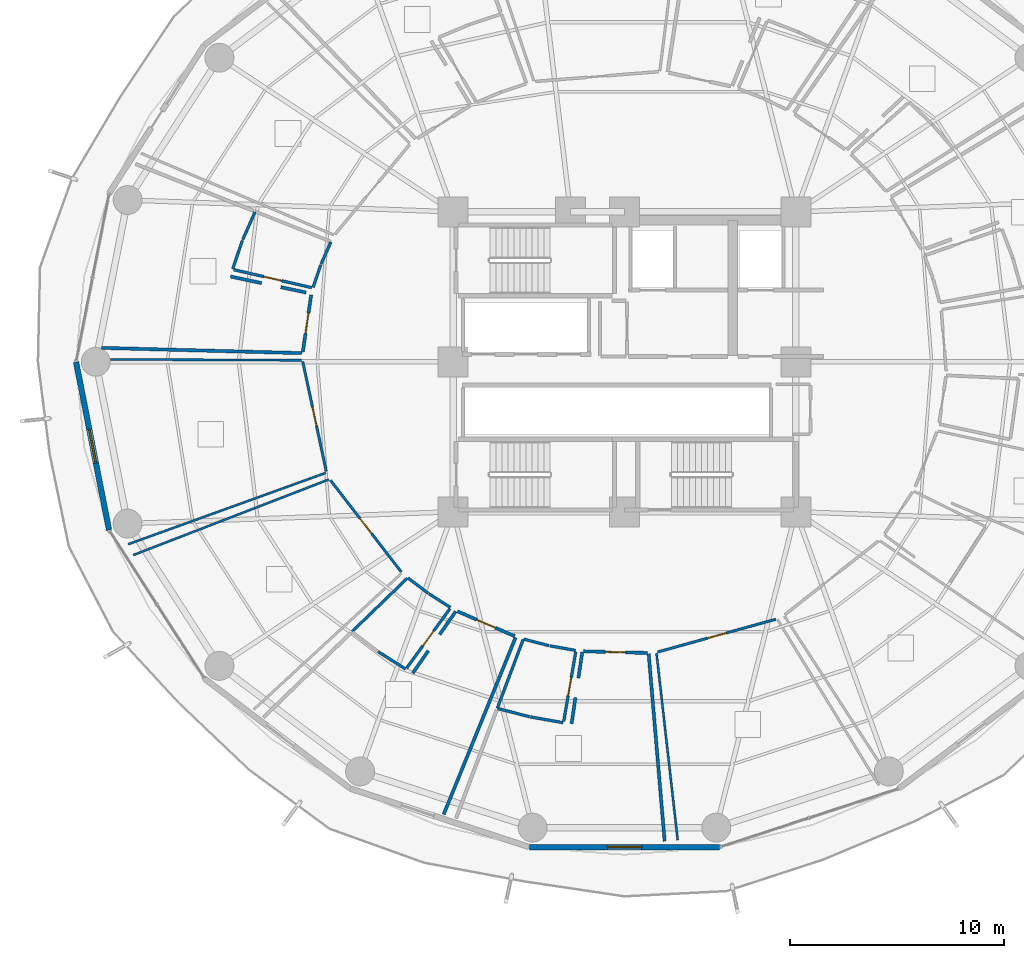
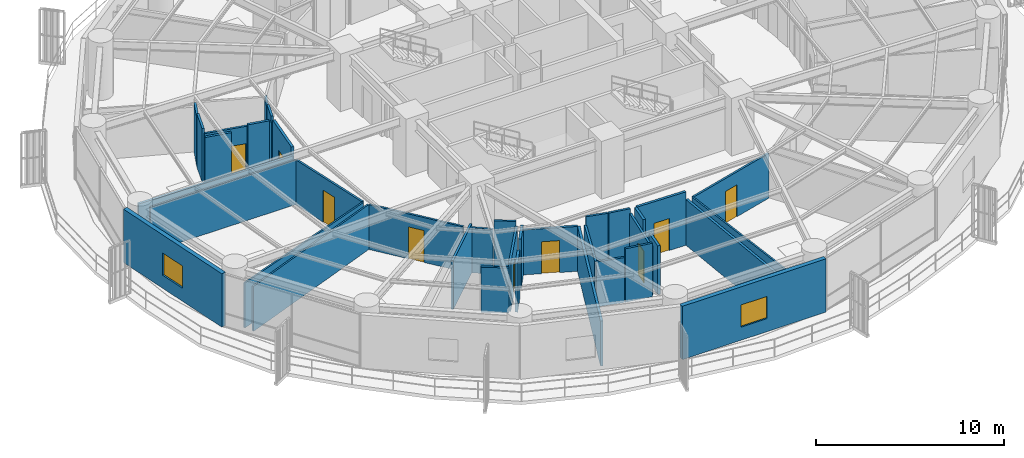
# One storey, part 25 of 33: 37 walls, 9 doors, 2 windows, 11 openings.
"""IFC4 building model written with IfcOpenShell, lengths in metres."""

import ifcopenshell
import ifcopenshell.guid

model = None  # the IFC model being written
_history = None  # IfcOwnerHistory: only IFC2X3 demands one
_inside = {}  # id of a spatial element -> (the spatial element, [elements in it])
_under = {}  # id of a project, library or spatial element -> (it, [spatial elements below it])
_declared = {}  # id of a project -> (the project, [libraries it declares])
_typed = {}  # id of a type object -> (the type object, [elements of that type])
_made_of = {}  # id of a material, layer set ... -> (it, [elements and type objects made of it])


def new_model(schema):
    """Start an empty IFC model of exactly this schema.

    Asked for "IFC4X3", IfcOpenShell would pick the latest addendum, in which some entities
    have other attributes; the version numbers below select the first issue.
    IFC2X3 requires an IfcOwnerHistory on every rooted entity: one is made here for all.
    """
    global model, _history
    if schema == "IFC4X3":
        model = ifcopenshell.file(schema_version=(4, 3, 0, 0))
    else:
        model = ifcopenshell.file(schema=schema)
    _inside.clear()
    _under.clear()
    _declared.clear()
    _typed.clear()
    _made_of.clear()
    _history = None
    if model.schema == "IFC2X3":
        org = make("IfcOrganization", Name="unknown")
        user = make(
            "IfcPersonAndOrganization",
            ThePerson=make("IfcPerson", FamilyName="unknown"),
            TheOrganization=org,
        )
        app = make(
            "IfcApplication",
            ApplicationDeveloper=org,
            Version="unknown",
            ApplicationFullName="unknown",
            ApplicationIdentifier="unknown",
        )
        _history = make(
            "IfcOwnerHistory",
            OwningUser=user,
            OwningApplication=app,
            ChangeAction="ADDED",
            CreationDate=0,
        )
    return model


def make(cls, **values):
    """One entity of the class cls with the attributes given. An attribute that is None is left unset."""
    return model.create_entity(
        cls, **{name: value for name, value in values.items() if value is not None}
    )


def rooted(cls, **values):
    """An entity with a GlobalId (a new one), such as an element, a storey or a relation."""
    return make(cls, GlobalId=ifcopenshell.guid.new(), OwnerHistory=_history, **values)


def si_unit(unit_type, name, prefix=None):
    """IfcSIUnit, for example si_unit("LENGTHUNIT", "METRE", prefix="MILLI")."""
    return make("IfcSIUnit", UnitType=unit_type, Prefix=prefix, Name=name)


def assignment(units):
    """IfcUnitAssignment: the units of a project."""
    return None if units is None else make("IfcUnitAssignment", Units=units)


def point(xyz):
    """IfcCartesianPoint."""
    return None if xyz is None else make("IfcCartesianPoint", Coordinates=xyz)


def direction(xyz):
    """IfcDirection."""
    return None if xyz is None else make("IfcDirection", DirectionRatios=xyz)


def frame(location, z_axis=None, x_axis=None):
    """IfcAxis2Placement3D, a coordinate frame: its origin and axes. An axis left out is left unset."""
    return make(
        "IfcAxis2Placement3D",
        Location=point(location),
        Axis=direction(z_axis),
        RefDirection=direction(x_axis),
    )


def frame_2d(location, x_axis=None):
    """IfcAxis2Placement2D, a coordinate frame in the plane: its origin and x axis."""
    return make(
        "IfcAxis2Placement2D", Location=point(location), RefDirection=direction(x_axis)
    )


def origin():
    """The frame at (0, 0, 0) with its axes left unset."""
    return frame((0.0, 0.0, 0.0))


def place(relative_to, where):
    """IfcLocalPlacement: puts the frame where relative to a parent placement (None: the world)."""
    return make(
        "IfcLocalPlacement", PlacementRelTo=relative_to, RelativePlacement=where
    )


def context(
    kind, dimensions, precision=None, world=None, true_north=None, identifier=None
):
    """IfcGeometricRepresentationContext, for example the 3D "Model" context."""
    return make(
        "IfcGeometricRepresentationContext",
        ContextIdentifier=identifier,
        ContextType=kind,
        CoordinateSpaceDimension=dimensions,
        Precision=precision,
        WorldCoordinateSystem=world,
        TrueNorth=true_north,
    )


def subcontext(parent, identifier, kind, view, scale=None):
    """IfcGeometricRepresentationSubContext, for example "Body" below "Model"."""
    return make(
        "IfcGeometricRepresentationSubContext",
        ContextIdentifier=identifier,
        ContextType=kind,
        ParentContext=parent,
        TargetScale=scale,
        TargetView=view,
    )


def project(units=None, contexts=None):
    """IfcProject with its units and contexts."""
    return rooted(
        "IfcProject",
        Name="project",
        RepresentationContexts=contexts,
        UnitsInContext=assignment(units),
    )


def spatial(cls, under=None, at=None, **own):
    """A site, building, storey or space (cls), placed at a placement, below another one or the project."""
    s = rooted(cls, ObjectPlacement=at, **own)
    if under is not None:
        _under.setdefault(under.id(), (under, []))[1].append(s)
    return s


def profile(cls, at=None, kind="AREA", **sizes):
    """A parametric profile (cls). Its sizes go by their IFC names, for example OverallWidth=200.0."""
    return make(cls, ProfileType=kind, Position=at, **sizes)


def rectangle(**sizes):
    """IfcRectangleProfileDef."""
    return profile("IfcRectangleProfileDef", **sizes)


def extrude(swept, where, along, depth):
    """IfcExtrudedAreaSolid: the profile swept, set in the frame where, extruded along a direction by depth."""
    return make(
        "IfcExtrudedAreaSolid",
        SweptArea=swept,
        Position=where,
        ExtrudedDirection=direction(along),
        Depth=depth,
    )


def shape(context_of_items, identifier, shape_type, items):
    """IfcShapeRepresentation: the items that make up one representation, for example the "Body"."""
    return make(
        "IfcShapeRepresentation",
        ContextOfItems=context_of_items,
        RepresentationIdentifier=identifier,
        RepresentationType=shape_type,
        Items=items,
    )


def material(Name=None, Category=None):
    """IfcMaterial."""
    return make("IfcMaterial", Name=Name, Category=Category)


def layer(
    of_material, thickness, ventilated=None, Name=None, Category=None, Priority=None
):
    """IfcMaterialLayer: one layer of a wall or slab, of a material (None: an air gap)."""
    return make(
        "IfcMaterialLayer",
        Material=of_material,
        LayerThickness=thickness,
        IsVentilated=ventilated,
        Name=Name,
        Category=Category,
        Priority=Priority,
    )


def layer_set(layers, Name=None):
    """IfcMaterialLayerSet."""
    return make("IfcMaterialLayerSet", MaterialLayers=layers, LayerSetName=Name)


def made_of(thing, what):
    """Note that an element or type object is made of a material, layer set ...; save() writes the relation."""
    if what is not None:
        _made_of.setdefault(what.id(), (what, []))[1].append(thing)
    return thing


def type_object(cls, material=None, **own):
    """A type object (cls), such as IfcWallType, which elements share."""
    return made_of(rooted(cls, **own), material)


def element(
    cls,
    number,
    at=None,
    inside=None,
    cuts=None,
    type_object=None,
    material=None,
    context=None,
    identifier="Body",
    shape_type=None,
    held_by="IfcProductDefinitionShape",
    body=None,
    shapes=None,
    **own,
):
    """One element of the class cls, such as IfcWall. Its Tag is "e" and its number.

    at: its placement. inside: the storey or other place that contains it. cuts: it is an
    opening in that element (IfcRelVoidsElement). A single representation is given by context,
    identifier, shape_type and body (its items); several are given by shapes. held_by: the class
    of the entity that holds the representations. save() writes the other relations.
    """
    e = rooted(cls, Tag="e%d" % number, ObjectPlacement=at, **own)
    if body is not None:
        shapes = [shape(context, identifier, shape_type, body)]
    if shapes is not None:
        e.Representation = make(held_by, Representations=shapes)
    if inside is not None:
        _inside.setdefault(inside.id(), (inside, []))[1].append(e)
    if cuts is not None:
        rooted(
            "IfcRelVoidsElement", RelatingBuildingElement=cuts, RelatedOpeningElement=e
        )
    if type_object is not None:
        _typed.setdefault(type_object.id(), (type_object, []))[1].append(e)
    return made_of(e, material)


def fill(opening, filler):
    """IfcRelFillsElement: the door or window that sits in an opening."""
    return rooted(
        "IfcRelFillsElement",
        RelatingOpeningElement=opening,
        RelatedBuildingElement=filler,
    )


def aggregate(whole, parts):
    """IfcRelAggregates: a whole, such as a stair, and the parts it consists of."""
    return rooted("IfcRelAggregates", RelatingObject=whole, RelatedObjects=parts)


def save(model, path):
    """Write the relations noted so far, then the file.

    IfcRelAggregates (storeys below a building ...), IfcRelContainedInSpatialStructure (elements
    in a storey), IfcRelDefinesByType, IfcRelAssociatesMaterial and IfcRelDeclares: one each for
    every whole, place, type object, material and project.
    """
    for whole, parts in _under.values():
        aggregate(whole, parts)
    for where, things in _inside.values():
        rooted(
            "IfcRelContainedInSpatialStructure",
            RelatedElements=things,
            RelatingStructure=where,
        )
    for kind, things in _typed.values():
        rooted("IfcRelDefinesByType", RelatedObjects=things, RelatingType=kind)
    for what, things in _made_of.values():
        rooted("IfcRelAssociatesMaterial", RelatedObjects=things, RelatingMaterial=what)
    for by, libraries in _declared.values():
        rooted("IfcRelDeclares", RelatingContext=by, RelatedDefinitions=libraries)
    model.write(path)


model = new_model("IFC4")

# Units and contexts
model_context = context("Model", 3, precision=1e-05, world=origin(), true_north=direction((0.0, 1.0)))
body_context = subcontext(model_context, "Body", "Model", "MODEL_VIEW")
ifc_project = project(units=[si_unit("LENGTHUNIT", "METRE"), si_unit("AREAUNIT", "SQUARE_METRE"), si_unit("VOLUMEUNIT", "CUBIC_METRE"), si_unit("PLANEANGLEUNIT", "RADIAN"), si_unit("MASSUNIT", "GRAM", prefix="KILO")], contexts=[model_context])

# Site, building, storey
site_placement = place(None, origin())
site = spatial("IfcSite", under=ifc_project, at=site_placement, CompositionType="ELEMENT")
building_placement = place(site_placement, origin())
building = spatial("IfcBuilding", under=site, at=building_placement, Name="Kelanora Arch Commons", CompositionType="ELEMENT")
storey_placement = place(building_placement, frame((0.0, 0.0, 83.85009765625)))
storey = spatial("IfcBuildingStorey", under=building, at=storey_placement, Name="L21", CompositionType="ELEMENT", Elevation=83.85009765625)

# Wall, opening, door
ifc_material_1 = material(Name="Autoclaved aerated concrete blockwork with fire plaster", Category="masonry")
ifc_layer_1 = layer(ifc_material_1, 0.14990234375)
ifc_layer_set_1 = layer_set([ifc_layer_1], Name="Autoclaved aerated concrete blockwork with fire plaster")
wall_type_1 = type_object("IfcWallType", Name="W-COMP-150", PredefinedType="PARTITIONING", material=ifc_layer_set_1)
wall_1_placement = place(storey_placement, frame((59.377197265625, 61.12353515625, 0.0), z_axis=(0.0, 0.0, 1.0), x_axis=(-0.145640373191, -0.989337597434, 0.0)))
wall_1 = element("IfcWall", 1, at=wall_1_placement, inside=storey, type_object=wall_type_1, Name="Co-Living Studio L21-07 Entry Partition", PredefinedType="PARTITIONING", context=body_context, shape_type="SweptSolid", body=[
    extrude(rectangle(XDim=2.688720703125, YDim=0.14990234375, at=frame_2d((1.34423828125, 0.0))), origin(), (0.0, 0.0, 1.0), 3.47998046875),
])
opening_1_placement = place(wall_1_placement, frame((0.868896484375, 0.0, 0.0)))
opening_1 = element("IfcOpeningElement", 2, at=opening_1_placement, cuts=wall_1, Name="Opening D-CLU1", PredefinedType="OPENING", context=body_context, shape_type="SweptSolid", body=[
    extrude(rectangle(XDim=0.949951171875, YDim=2.080078125, at=frame_2d((0.47509765625, 1.0400390625))), frame((0.0, 0.0849609375, 0.0), z_axis=(0.0, -1.0, 0.0), x_axis=(1.0, 0.0, 0.0)), (0.0, 0.0, 1.0), 0.169921875),
])
ifc_material_2 = material(Name="Solid-core acoustic timber cluster entry fire door", Category="wood")
door_type_1 = type_object("IfcDoorType", Name="D-CLU-95", OperationType="NOTDEFINED", PredefinedType="DOOR", material=ifc_material_2)
door_1_placement = place(opening_1_placement, origin())
door_1 = element("IfcDoor", 3, at=door_1_placement, inside=storey, type_object=door_type_1, Name="Co-Living Studio L21-07 Door", OperationType="SINGLE_SWING_RIGHT", OverallHeight=2.080078125, OverallWidth=0.949951171875, PredefinedType="DOOR", context=body_context, shape_type="SweptSolid", body=[
    extrude(rectangle(XDim=0.949951171875, YDim=2.080078125, at=frame_2d((0.47509765625, 1.0400390625))), frame((0.0, 0.02490234375, 0.0), z_axis=(0.0, -1.0, 0.0), x_axis=(1.0, 0.0, 0.0)), (0.0, 0.0, 1.0), 0.050048828125),
])
fill(opening_1, door_1)

wall_2_placement = place(storey_placement, frame((66.200927734375, 46.35498046875, 0.0), z_axis=(0.0, 0.0, 1.0), x_axis=(0.917173751057, -0.398487528503, 0.0)))
wall_2 = element("IfcWall", 4, at=wall_2_placement, inside=storey, type_object=wall_type_1, Name="Co-Living Studio L21-10 Entry Partition", PredefinedType="PARTITIONING", context=body_context, shape_type="SweptSolid", body=[
    extrude(rectangle(XDim=2.918701171875, YDim=0.14990234375, at=frame_2d((1.45947265625, 0.0))), origin(), (0.0, 0.0, 1.0), 2.9248046875),
])
opening_2_placement = place(wall_2_placement, frame((0.98388671875, 0.0, 0.0)))
opening_2 = element("IfcOpeningElement", 5, at=opening_2_placement, cuts=wall_2, Name="Opening D-CLU1", PredefinedType="OPENING", context=body_context, shape_type="SweptSolid", body=[
    extrude(rectangle(XDim=0.949951171875, YDim=2.080078125, at=frame_2d((0.47509765625, 1.0400390625))), frame((0.0, 0.0849609375, 0.0), z_axis=(0.0, -1.0, 0.0), x_axis=(1.0, 0.0, 0.0)), (0.0, 0.0, 1.0), 0.169921875),
])
door_2_placement = place(opening_2_placement, origin())
door_2 = element("IfcDoor", 6, at=door_2_placement, inside=storey, type_object=door_type_1, Name="Co-Living Studio L21-10 Door", OperationType="SINGLE_SWING_RIGHT", OverallHeight=2.080078125, OverallWidth=0.949951171875, PredefinedType="DOOR", context=body_context, shape_type="SweptSolid", body=[
    extrude(rectangle(XDim=0.949951171875, YDim=2.080078125, at=frame_2d((0.47509765625, 1.0400390625))), frame((0.0, 0.02490234375, 0.0), z_axis=(0.0, -1.0, 0.0), x_axis=(1.0, 0.0, 0.0)), (0.0, 0.0, 1.0), 0.050048828125),
])
fill(opening_2, door_2)

wall_3_placement = place(storey_placement, frame((72.096923828125, 44.485595703125, 0.0), z_axis=(0.0, 0.0, 1.0), x_axis=(0.999671268913, -0.025638917871, 0.0)))
wall_3 = element("IfcWall", 7, at=wall_3_placement, inside=storey, type_object=wall_type_1, Name="Co-Living Studio L21-11 Entry Partition", PredefinedType="PARTITIONING", context=body_context, shape_type="SweptSolid", body=[
    extrude(rectangle(XDim=2.970947265625, YDim=0.14990234375, at=frame_2d((1.4853515625, 0.0))), origin(), (0.0, 0.0, 1.0), 3.47998046875),
])
opening_3_placement = place(wall_3_placement, frame((1.010009765625, 0.0, 0.0)))
opening_3 = element("IfcOpeningElement", 8, at=opening_3_placement, cuts=wall_3, Name="Opening D-CLU1", PredefinedType="OPENING", context=body_context, shape_type="SweptSolid", body=[
    extrude(rectangle(XDim=0.949951171875, YDim=2.080078125, at=frame_2d((0.47509765625, 1.0400390625))), frame((0.0, 0.0849609375, 0.0), z_axis=(0.0, -1.0, 0.0), x_axis=(1.0, 0.0, 0.0)), (0.0, 0.0, 1.0), 0.169921875),
])
door_3_placement = place(opening_3_placement, origin())
door_3 = element("IfcDoor", 9, at=door_3_placement, inside=storey, type_object=door_type_1, Name="Co-Living Studio L21-11 Door", OperationType="SINGLE_SWING_RIGHT", OverallHeight=2.080078125, OverallWidth=0.949951171875, PredefinedType="DOOR", context=body_context, shape_type="SweptSolid", body=[
    extrude(rectangle(XDim=0.949951171875, YDim=2.080078125, at=frame_2d((0.47509765625, 1.0400390625))), frame((0.0, 0.02490234375, 0.0), z_axis=(0.0, -1.0, 0.0), x_axis=(1.0, 0.0, 0.0)), (0.0, 0.0, 1.0), 0.050048828125),
])
fill(opening_3, door_3)

# Walls
wall_4_placement = place(storey_placement, frame((58.93701171875, 58.405029296875, 0.0), z_axis=(0.0, 0.0, 1.0), x_axis=(-0.99965775334, 0.026160584617, 0.0)))
element("IfcWall", 10, at=wall_4_placement, inside=storey, type_object=wall_type_1, Name="Co-Living Studio L21-07 Enclosure Partition 2", PredefinedType="PARTITIONING", context=body_context, shape_type="SweptSolid", body=[
    extrude(rectangle(XDim=9.3603515625, YDim=0.14990234375, at=frame_2d((4.68017578125, 0.0))), origin(), (0.0, 0.0, 1.0), 2.974853515625),
])
wall_5_placement = place(storey_placement, frame((55.613037109375, 61.980712890625, 0.0), z_axis=(0.0, 0.0, 1.0), x_axis=(0.978379851426, -0.206816020472, 0.0)))
element("IfcWall", 11, at=wall_5_placement, inside=storey, type_object=wall_type_1, Name="Co-Living Studio L21-07 Enclosure Partition 7", PredefinedType="PARTITIONING", context=body_context, shape_type="SweptSolid", body=[
    extrude(rectangle(XDim=1.4814453125, YDim=0.14990234375, at=frame_2d((0.74072265625, 0.0))), origin(), (0.0, 0.0, 1.0), 3.1748046875),
])
wall_6_placement = place(storey_placement, frame((57.962890625, 61.48388671875, 0.0), z_axis=(0.0, 0.0, 1.0), x_axis=(0.978361584069, -0.20690241859, 0.0)))
element("IfcWall", 12, at=wall_6_placement, inside=storey, type_object=wall_type_1, Name="Co-Living Studio L21-07 Enclosure Partition 7", PredefinedType="PARTITIONING", context=body_context, shape_type="SweptSolid", body=[
    extrude(rectangle(XDim=1.199951171875, YDim=0.14990234375, at=frame_2d((0.60009765625, 0.0))), origin(), (0.0, 0.0, 1.0), 3.47998046875),
])
wall_7_placement = place(storey_placement, frame((68.91796875, 45.130859375, 0.0), z_axis=(0.0, 0.0, 1.0), x_axis=(-0.376588613193, -0.926380600193, 0.0)))
element("IfcWall", 13, at=wall_7_placement, inside=storey, type_object=wall_type_1, Name="Co-Living Studio L21-10 Enclosure Partition 2", PredefinedType="PARTITIONING", context=body_context, shape_type="SweptSolid", body=[
    extrude(rectangle(XDim=8.9140625, YDim=0.14990234375, at=frame_2d((4.45703125, 0.0))), origin(), (0.0, 0.0, 1.0), 2.9248046875),
])
wall_8_placement = place(storey_placement, frame((64.119873046875, 43.46875, 0.0), z_axis=(0.0, 0.0, 1.0), x_axis=(0.571339432424, 0.820713867897, 0.0)))
element("IfcWall", 14, at=wall_8_placement, inside=storey, type_object=wall_type_1, Name="Co-Living Studio L21-10 Enclosure Partition 7", PredefinedType="PARTITIONING", context=body_context, shape_type="SweptSolid", body=[
    extrude(rectangle(XDim=1.274658203125, YDim=0.14990234375, at=frame_2d((0.63720703125, 0.0))), origin(), (0.0, 0.0, 1.0), 3.1748046875),
])
wall_9_placement = place(storey_placement, frame((65.3740234375, 45.270263671875, 0.0), z_axis=(0.0, 0.0, 1.0), x_axis=(0.57134818524, 0.82070777456, 0.0)))
element("IfcWall", 15, at=wall_9_placement, inside=storey, type_object=wall_type_1, Name="Co-Living Studio L21-10 Enclosure Partition 7", PredefinedType="PARTITIONING", context=body_context, shape_type="SweptSolid", body=[
    extrude(rectangle(XDim=1.31103515625, YDim=0.14990234375, at=frame_2d((0.655517578125, 0.0))), origin(), (0.0, 0.0, 1.0), 3.23486328125),
])
wall_10_placement = place(storey_placement, frame((75.13037109375, 44.3681640625, 0.0), z_axis=(0.0, 0.0, 1.0), x_axis=(0.085031915446, -0.996378228062, 0.0)))
element("IfcWall", 16, at=wall_10_placement, inside=storey, type_object=wall_type_1, Name="Co-Living Studio L21-11 Enclosure Partition 2", PredefinedType="PARTITIONING", context=body_context, shape_type="SweptSolid", body=[
    extrude(rectangle(XDim=8.777099609375, YDim=0.14990234375, at=frame_2d((4.388671875, 0.0))), origin(), (0.0, 0.0, 1.0), 2.974853515625),
])
wall_11_placement = place(storey_placement, frame((71.531005859375, 41.103515625, 0.0), z_axis=(0.0, 0.0, 1.0), x_axis=(0.147866770411, 0.989007289259, 0.0)))
element("IfcWall", 17, at=wall_11_placement, inside=storey, type_object=wall_type_1, Name="Co-Living Studio L21-11 Enclosure Partition 7", PredefinedType="PARTITIONING", context=body_context, shape_type="SweptSolid", body=[
    extrude(rectangle(XDim=1.235107421875, YDim=0.14990234375, at=frame_2d((0.61767578125, 0.0))), origin(), (0.0, 0.0, 1.0), 3.1748046875),
])
wall_12_placement = place(storey_placement, frame((71.849609375, 43.235107421875, 0.0), z_axis=(0.0, 0.0, 1.0), x_axis=(0.14797037904, 0.988991793154, 0.0)))
element("IfcWall", 18, at=wall_12_placement, inside=storey, type_object=wall_type_1, Name="Co-Living Studio L21-11 Enclosure Partition 7", PredefinedType="PARTITIONING", context=body_context, shape_type="SweptSolid", body=[
    extrude(rectangle(XDim=1.225830078125, YDim=0.14990234375, at=frame_2d((0.61279296875, 0.0))), origin(), (0.0, 0.0, 1.0), 3.47998046875),
])

# Wall, opening, window
ifc_material_3 = material(Name="Precast concrete C40/50 with terracotta rainscreen", Category="masonry")
ifc_layer_2 = layer(ifc_material_3, 0.260009765625)
ifc_layer_set_2 = layer_set([ifc_layer_2], Name="Precast concrete C40/50 with terracotta rainscreen")
wall_type_2 = type_object("IfcWallType", Name="W-EXT-TC", PredefinedType="SOLIDWALL", material=ifc_layer_set_2)
wall_13_placement = place(storey_placement, frame((48.40283203125, 57.9853515625, 0.0), z_axis=(0.0, 0.0, 1.0), x_axis=(0.192581843632, -0.981280914674, 0.0)))
wall_13 = element("IfcWall", 19, at=wall_13_placement, inside=storey, type_object=wall_type_2, Name="Terracotta Exterior Wall L21-B09", PredefinedType="SOLIDWALL", context=body_context, shape_type="SweptSolid", body=[
    extrude(rectangle(XDim=7.986572265625, YDim=0.260009765625, at=frame_2d((3.9931640625, 0.0))), origin(), (0.0, 0.0, 1.0), 3.474853515625),
])
opening_4_placement = place(wall_13_placement, frame((3.193115234375, 0.0, 0.85009765625)))
opening_4 = element("IfcOpeningElement", 20, at=opening_4_placement, cuts=wall_13, Name="Opening WN-01", PredefinedType="OPENING", context=body_context, shape_type="SweptSolid", body=[
    extrude(rectangle(XDim=1.60009765625, YDim=1.449951171875, at=frame_2d((0.800048828125, 0.72509765625))), frame((0.0, 0.14013671875, 0.0), z_axis=(0.0, -1.0, 0.0), x_axis=(1.0, 0.0, 0.0)), (0.0, 0.0, 1.0), 0.280029296875),
])
ifc_material_4 = material(Name="Terracotta-anodised aluminium frame with operable low-E glazing", Category="masonry")
window_type = type_object("IfcWindowType", Name="WIN-CL-18", PartitioningType="DOUBLE_PANEL_VERTICAL", PredefinedType="WINDOW", material=ifc_material_4)
window_1_placement = place(opening_4_placement, origin())
window_1 = element("IfcWindow", 21, at=window_1_placement, inside=storey, type_object=window_type, Name="Co-Living Operable Window L21-B09", OverallHeight=1.449951171875, OverallWidth=1.60009765625, PartitioningType="SINGLE_PANEL", PredefinedType="WINDOW", context=body_context, shape_type="SweptSolid", body=[
    extrude(rectangle(XDim=1.60009765625, YDim=1.449951171875, at=frame_2d((0.800048828125, 0.72509765625))), frame((0.0, 0.030029296875, 0.0), z_axis=(0.0, -1.0, 0.0), x_axis=(1.0, 0.0, 0.0)), (0.0, 0.0, 1.0), 0.06005859375),
])
fill(opening_4, window_1)

wall_14_placement = place(storey_placement, frame((69.569580078125, 35.349365234375, 0.0), z_axis=(0.0, 0.0, 1.0), x_axis=(1.0, 0.0, 0.0)))
wall_14 = element("IfcWall", 22, at=wall_14_placement, inside=storey, type_object=wall_type_2, Name="Terracotta Exterior Wall L21-B13", PredefinedType="SOLIDWALL", context=body_context, shape_type="SweptSolid", body=[
    extrude(rectangle(XDim=8.86083984375, YDim=0.260009765625, at=frame_2d((4.430419921875, 0.0))), origin(), (0.0, 0.0, 1.0), 3.474853515625),
])
opening_5_placement = place(wall_14_placement, frame((3.6298828125, 0.0, 0.85009765625)))
opening_5 = element("IfcOpeningElement", 23, at=opening_5_placement, cuts=wall_14, Name="Opening WN-01", PredefinedType="OPENING", context=body_context, shape_type="SweptSolid", body=[
    extrude(rectangle(XDim=1.60009765625, YDim=1.449951171875, at=frame_2d((0.800048828125, 0.72509765625))), frame((0.0, 0.14013671875, 0.0), z_axis=(0.0, -1.0, 0.0), x_axis=(1.0, 0.0, 0.0)), (0.0, 0.0, 1.0), 0.280029296875),
])
window_2_placement = place(opening_5_placement, origin())
window_2 = element("IfcWindow", 24, at=window_2_placement, inside=storey, type_object=window_type, Name="Co-Living Operable Window L21-B13", OverallHeight=1.449951171875, OverallWidth=1.60009765625, PartitioningType="SINGLE_PANEL", PredefinedType="WINDOW", context=body_context, shape_type="SweptSolid", body=[
    extrude(rectangle(XDim=1.60009765625, YDim=1.449951171875, at=frame_2d((0.800048828125, 0.72509765625))), frame((0.0, 0.030029296875, 0.0), z_axis=(0.0, -1.0, 0.0), x_axis=(1.0, 0.0, 0.0)), (0.0, 0.0, 1.0), 0.06005859375),
])
fill(opening_5, window_2)

# Walls
ifc_material_5 = material(Name="Lightweight fire-rated acoustic stud partition")
ifc_layer_3 = layer(ifc_material_5, 0.10009765625)
ifc_layer_set_3 = layer_set([ifc_layer_3], Name="Lightweight fire-rated acoustic stud partition")
wall_type_3 = type_object("IfcWallType", Name="W-PART-100", PredefinedType="PARTITIONING", material=ifc_layer_set_3)
wall_15_placement = place(storey_placement, frame((60.056396484375, 52.814453125, 0.0), z_axis=(0.0, 0.0, 1.0), x_axis=(-0.940543515483, -0.339673218671, 0.0)))
element("IfcWall", 25, at=wall_15_placement, inside=storey, type_object=wall_type_3, Name="Quiet Seminar Study Room L21-08 Enclosure Partition 2", PredefinedType="PARTITIONING", context=body_context, shape_type="SweptSolid", body=[
    extrude(rectangle(XDim=9.805908203125, YDim=0.10009765625, at=frame_2d((4.90283203125, 0.0))), origin(), (0.0, 0.0, 1.0), 2.9248046875),
])
wall_16_placement = place(storey_placement, frame((50.0107421875, 58.11279296875, 0.0), z_axis=(0.0, 0.0, 1.0), x_axis=(0.999989173449, -0.004653276749, 0.0)))
element("IfcWall", 26, at=wall_16_placement, inside=storey, type_object=wall_type_3, Name="Quiet Seminar Study Room L21-08 Enclosure Partition 4", PredefinedType="PARTITIONING", context=body_context, shape_type="SweptSolid", body=[
    extrude(rectangle(XDim=8.919189453125, YDim=0.10009765625, at=frame_2d((4.45947265625, 0.0))), origin(), (0.0, 0.0, 1.0), 2.9248046875),
])
wall_17_placement = place(storey_placement, frame((51.072265625, 48.978515625, 0.0), z_axis=(0.0, 0.0, 1.0), x_axis=(0.932757339165, 0.360504849112, 0.0)))
element("IfcWall", 27, at=wall_17_placement, inside=storey, type_object=wall_type_3, Name="Communal Dining and Social Hall L21-09 Enclosure Partition 4", PredefinedType="PARTITIONING", context=body_context, shape_type="SweptSolid", body=[
    extrude(rectangle(XDim=9.786376953125, YDim=0.10009765625, at=frame_2d((4.89306640625, 0.0))), origin(), (0.0, 0.0, 1.0), 2.9248046875),
])
wall_18_placement = place(storey_placement, frame((76.486572265625, 35.670654296875, 0.0), z_axis=(0.0, 0.0, 1.0), x_axis=(-0.112612784854, 0.993638948858, 0.0)))
element("IfcWall", 28, at=wall_18_placement, inside=storey, type_object=wall_type_3, Name="Quiet Seminar Study Room L21-12 Enclosure Partition 4", PredefinedType="PARTITIONING", context=body_context, shape_type="SweptSolid", body=[
    extrude(rectangle(XDim=8.782470703125, YDim=0.10009765625, at=frame_2d((4.39111328125, 0.0))), origin(), (0.0, 0.0, 1.0), 2.974853515625),
])

# Wall, opening, door
ifc_material_6 = material(Name="Acoustic twin-stud fire-rated gypsum partition")
ifc_layer_4 = layer(ifc_material_6, 0.1201171875)
ifc_layer_set_4 = layer_set([ifc_layer_4], Name="Acoustic twin-stud fire-rated gypsum partition")
wall_type_4 = type_object("IfcWallType", Name="W-PART-120", PredefinedType="PARTITIONING", material=ifc_layer_set_4)
wall_19_placement = place(storey_placement, frame((58.982666015625, 58.01220703125, 0.0), z_axis=(0.0, 0.0, 1.0), x_axis=(0.209586341226, -0.977790143933, 0.0)))
wall_19 = element("IfcWall", 29, at=wall_19_placement, inside=storey, type_object=wall_type_4, Name="Quiet Seminar Study Room L21-08 Entry Partition", PredefinedType="PARTITIONING", context=body_context, shape_type="SweptSolid", body=[
    extrude(rectangle(XDim=5.241943359375, YDim=0.1201171875, at=frame_2d((2.62109375, 0.0))), origin(), (0.0, 0.0, 1.0), 2.9248046875),
])
opening_6_placement = place(wall_19_placement, frame((2.1708984375, 0.0, 0.0)))
opening_6 = element("IfcOpeningElement", 30, at=opening_6_placement, cuts=wall_19, Name="Opening D-RM1", PredefinedType="OPENING", context=body_context, shape_type="SweptSolid", body=[
    extrude(rectangle(XDim=0.89990234375, YDim=2.080078125, at=frame_2d((0.449951171875, 1.0400390625))), frame((0.0, 0.070068359375, 0.0), z_axis=(0.0, -1.0, 0.0), x_axis=(1.0, 0.0, 0.0)), (0.0, 0.0, 1.0), 0.14013671875),
])
ifc_material_7 = material(Name="Acoustic fire-rated timber study and lounge door", Category="wood")
door_type_2 = type_object("IfcDoorType", Name="D-ROOM-90", OperationType="NOTDEFINED", PredefinedType="DOOR", material=ifc_material_7)
door_4_placement = place(opening_6_placement, origin())
door_4 = element("IfcDoor", 31, at=door_4_placement, inside=storey, type_object=door_type_2, Name="Quiet Seminar Study Room L21-08 Door", OperationType="SINGLE_SWING_LEFT", OverallHeight=2.080078125, OverallWidth=0.89990234375, PredefinedType="DOOR", context=body_context, shape_type="SweptSolid", body=[
    extrude(rectangle(XDim=0.89990234375, YDim=2.080078125, at=frame_2d((0.449951171875, 1.0400390625))), frame((0.0, 0.02490234375, 0.0), z_axis=(0.0, -1.0, 0.0), x_axis=(1.0, 0.0, 0.0)), (0.0, 0.0, 1.0), 0.050048828125),
])
fill(opening_6, door_4)

wall_20_placement = place(storey_placement, frame((60.274658203125, 52.473388671875, 0.0), z_axis=(0.0, 0.0, 1.0), x_axis=(0.611167326409, -0.791501420801, 0.0)))
wall_20 = element("IfcWall", 32, at=wall_20_placement, inside=storey, type_object=wall_type_4, Name="Communal Dining and Social Hall L21-09 Entry Partition", PredefinedType="PARTITIONING", context=body_context, shape_type="SweptSolid", body=[
    extrude(rectangle(XDim=5.4072265625, YDim=0.1201171875, at=frame_2d((2.70361328125, 0.0))), origin(), (0.0, 0.0, 1.0), 2.9248046875),
])
opening_7_placement = place(wall_20_placement, frame((2.25390625, 0.0, 0.0)))
opening_7 = element("IfcOpeningElement", 33, at=opening_7_placement, cuts=wall_20, Name="Opening D-RM1", PredefinedType="OPENING", context=body_context, shape_type="SweptSolid", body=[
    extrude(rectangle(XDim=0.89990234375, YDim=2.080078125, at=frame_2d((0.449951171875, 1.0400390625))), frame((0.0, 0.070068359375, 0.0), z_axis=(0.0, -1.0, 0.0), x_axis=(1.0, 0.0, 0.0)), (0.0, 0.0, 1.0), 0.14013671875),
])
door_5_placement = place(opening_7_placement, origin())
door_5 = element("IfcDoor", 34, at=door_5_placement, inside=storey, type_object=door_type_2, Name="Communal Dining and Social Hall L21-09 Door", OperationType="SINGLE_SWING_RIGHT", OverallHeight=2.080078125, OverallWidth=0.89990234375, PredefinedType="DOOR", context=body_context, shape_type="SweptSolid", body=[
    extrude(rectangle(XDim=0.89990234375, YDim=2.080078125, at=frame_2d((0.449951171875, 1.0400390625))), frame((0.0, 0.02490234375, 0.0), z_axis=(0.0, -1.0, 0.0), x_axis=(1.0, 0.0, 0.0)), (0.0, 0.0, 1.0), 0.050048828125),
])
fill(opening_7, door_5)

wall_21_placement = place(storey_placement, frame((75.55078125, 44.452880859375, 0.0), z_axis=(0.0, 0.0, 1.0), x_axis=(0.963633279283, 0.267228185374, 0.0)))
wall_21 = element("IfcWall", 35, at=wall_21_placement, inside=storey, type_object=wall_type_4, Name="Quiet Seminar Study Room L21-12 Entry Partition", PredefinedType="PARTITIONING", context=body_context, shape_type="SweptSolid", body=[
    extrude(rectangle(XDim=5.7255859375, YDim=0.1201171875, at=frame_2d((2.86279296875, 0.0))), origin(), (0.0, 0.0, 1.0), 2.9248046875),
])
opening_8_placement = place(wall_21_placement, frame((2.4130859375, 0.0, 0.0)))
opening_8 = element("IfcOpeningElement", 36, at=opening_8_placement, cuts=wall_21, Name="Opening D-RM1", PredefinedType="OPENING", context=body_context, shape_type="SweptSolid", body=[
    extrude(rectangle(XDim=0.89990234375, YDim=2.080078125, at=frame_2d((0.449951171875, 1.0400390625))), frame((0.0, 0.070068359375, 0.0), z_axis=(0.0, -1.0, 0.0), x_axis=(1.0, 0.0, 0.0)), (0.0, 0.0, 1.0), 0.14013671875),
])
door_6_placement = place(opening_8_placement, origin())
door_6 = element("IfcDoor", 37, at=door_6_placement, inside=storey, type_object=door_type_2, Name="Quiet Seminar Study Room L21-12 Door", OperationType="SINGLE_SWING_LEFT", OverallHeight=2.080078125, OverallWidth=0.89990234375, PredefinedType="DOOR", context=body_context, shape_type="SweptSolid", body=[
    extrude(rectangle(XDim=0.89990234375, YDim=2.080078125, at=frame_2d((0.449951171875, 1.0400390625))), frame((0.0, 0.02490234375, 0.0), z_axis=(0.0, -1.0, 0.0), x_axis=(1.0, 0.0, 0.0)), (0.0, 0.0, 1.0), 0.050048828125),
])
fill(opening_8, door_6)

ifc_material_8 = material(Name="Moisture-resistant fire-rated cement-board plumbing wall")
ifc_layer_5 = layer(ifc_material_8, 0.1298828125)
ifc_layer_set_5 = layer_set([ifc_layer_5], Name="Moisture-resistant fire-rated cement-board plumbing wall")
wall_type_5 = type_object("IfcWallType", Name="W-WET-120", PredefinedType="PLUMBINGWALL", material=ifc_layer_set_5)
wall_22_placement = place(storey_placement, frame((59.400390625, 61.46240234375, 0.0), z_axis=(0.0, 0.0, 1.0), x_axis=(-0.974573904169, 0.224066296689, 0.0)))
wall_22 = element("IfcWall", 38, at=wall_22_placement, inside=storey, type_object=wall_type_5, Name="En-Suite Shower WC L21-07 Entry Partition", PredefinedType="PLUMBINGWALL", context=body_context, shape_type="SweptSolid", body=[
    extrude(rectangle(XDim=3.73193359375, YDim=0.1298828125, at=frame_2d((1.865966796875, 0.0))), origin(), (0.0, 0.0, 1.0), 3.1748046875),
])
opening_9_placement = place(wall_22_placement, frame((1.43603515625, 0.0, 0.0)))
opening_9 = element("IfcOpeningElement", 39, at=opening_9_placement, cuts=wall_22, Name="Opening D-BT1", PredefinedType="OPENING", context=body_context, shape_type="SweptSolid", body=[
    extrude(rectangle(XDim=0.860107421875, YDim=2.050048828125, at=frame_2d((0.43017578125, 1.02490234375))), frame((0.0, 0.074951171875, 0.0), z_axis=(0.0, -1.0, 0.0), x_axis=(1.0, 0.0, 0.0)), (0.0, 0.0, 1.0), 0.14990234375),
])
ifc_material_9 = material(Name="Moisture-sealed fire-rated accessible bathroom door")
door_type_3 = type_object("IfcDoorType", Name="D-BATH-85", OperationType="NOTDEFINED", PredefinedType="DOOR", material=ifc_material_9)
door_7_placement = place(opening_9_placement, origin())
door_7 = element("IfcDoor", 40, at=door_7_placement, inside=storey, type_object=door_type_3, Name="En-Suite Shower WC L21-07 Door", OperationType="SINGLE_SWING_LEFT", OverallHeight=2.050048828125, OverallWidth=0.860107421875, PredefinedType="DOOR", context=body_context, shape_type="SweptSolid", body=[
    extrude(rectangle(XDim=0.860107421875, YDim=2.050048828125, at=frame_2d((0.43017578125, 1.02490234375))), frame((0.0, 0.02490234375, 0.0), z_axis=(0.0, -1.0, 0.0), x_axis=(1.0, 0.0, 0.0)), (0.0, 0.0, 1.0), 0.050048828125),
])
fill(opening_9, door_7)

wall_23_placement = place(storey_placement, frame((65.854736328125, 46.4765625, 0.0), z_axis=(0.0, 0.0, 1.0), x_axis=(-0.589016516568, -0.808120995402, 0.0)))
wall_23 = element("IfcWall", 41, at=wall_23_placement, inside=storey, type_object=wall_type_5, Name="En-Suite Shower WC L21-10 Entry Partition", PredefinedType="PLUMBINGWALL", context=body_context, shape_type="SweptSolid", body=[
    extrude(rectangle(XDim=3.435302734375, YDim=0.1298828125, at=frame_2d((1.7177734375, 0.0))), origin(), (0.0, 0.0, 1.0), 3.1748046875),
])
opening_10_placement = place(wall_23_placement, frame((1.2880859375, 0.0, 0.0)))
opening_10 = element("IfcOpeningElement", 42, at=opening_10_placement, cuts=wall_23, Name="Opening D-BT1", PredefinedType="OPENING", context=body_context, shape_type="SweptSolid", body=[
    extrude(rectangle(XDim=0.860107421875, YDim=2.050048828125, at=frame_2d((0.43017578125, 1.02490234375))), frame((0.0, 0.074951171875, 0.0), z_axis=(0.0, -1.0, 0.0), x_axis=(1.0, 0.0, 0.0)), (0.0, 0.0, 1.0), 0.14990234375),
])
door_8_placement = place(opening_10_placement, origin())
door_8 = element("IfcDoor", 43, at=door_8_placement, inside=storey, type_object=door_type_3, Name="En-Suite Shower WC L21-10 Door", OperationType="SINGLE_SWING_LEFT", OverallHeight=2.050048828125, OverallWidth=0.860107421875, PredefinedType="DOOR", context=body_context, shape_type="SweptSolid", body=[
    extrude(rectangle(XDim=0.860107421875, YDim=2.050048828125, at=frame_2d((0.43017578125, 1.02490234375))), frame((0.0, 0.02490234375, 0.0), z_axis=(0.0, -1.0, 0.0), x_axis=(1.0, 0.0, 0.0)), (0.0, 0.0, 1.0), 0.050048828125),
])
fill(opening_10, door_8)

wall_24_placement = place(storey_placement, frame((71.727783203125, 44.4658203125, 0.0), z_axis=(0.0, 0.0, 1.0), x_axis=(-0.170592496202, -0.985341666753, 0.0)))
wall_24 = element("IfcWall", 44, at=wall_24_placement, inside=storey, type_object=wall_type_5, Name="En-Suite Shower WC L21-11 Entry Partition", PredefinedType="PLUMBINGWALL", context=body_context, shape_type="SweptSolid", body=[
    extrude(rectangle(XDim=3.302978515625, YDim=0.1298828125, at=frame_2d((1.6513671875, 0.0))), origin(), (0.0, 0.0, 1.0), 3.1748046875),
])
opening_11_placement = place(wall_24_placement, frame((1.221923828125, 0.0, 0.0)))
opening_11 = element("IfcOpeningElement", 45, at=opening_11_placement, cuts=wall_24, Name="Opening D-BT1", PredefinedType="OPENING", context=body_context, shape_type="SweptSolid", body=[
    extrude(rectangle(XDim=0.860107421875, YDim=2.050048828125, at=frame_2d((0.43017578125, 1.02490234375))), frame((0.0, 0.074951171875, 0.0), z_axis=(0.0, -1.0, 0.0), x_axis=(1.0, 0.0, 0.0)), (0.0, 0.0, 1.0), 0.14990234375),
])
door_9_placement = place(opening_11_placement, origin())
door_9 = element("IfcDoor", 46, at=door_9_placement, inside=storey, type_object=door_type_3, Name="En-Suite Shower WC L21-11 Door", OperationType="SINGLE_SWING_LEFT", OverallHeight=2.050048828125, OverallWidth=0.860107421875, PredefinedType="DOOR", context=body_context, shape_type="SweptSolid", body=[
    extrude(rectangle(XDim=0.860107421875, YDim=2.050048828125, at=frame_2d((0.43017578125, 1.02490234375))), frame((0.0, 0.02490234375, 0.0), z_axis=(0.0, -1.0, 0.0), x_axis=(1.0, 0.0, 0.0)), (0.0, 0.0, 1.0), 0.050048828125),
])
fill(opening_11, door_9)

# Walls
wall_25_placement = place(storey_placement, frame((60.2939453125, 63.5908203125, 0.0), z_axis=(0.0, 0.0, 1.0), x_axis=(-0.40547338745, -0.914106849372, 0.0)))
element("IfcWall", 47, at=wall_25_placement, inside=storey, type_object=wall_type_5, Name="En-Suite Shower WC L21-07 Enclosure Partition 1", PredefinedType="PLUMBINGWALL", context=body_context, shape_type="SweptSolid", body=[
    extrude(rectangle(XDim=1.1240234375, YDim=0.1298828125, at=frame_2d((0.56201171875, 0.0))), origin(), (0.0, 0.0, 1.0), 3.23486328125),
])
wall_26_placement = place(storey_placement, frame((59.823486328125, 62.526123046875, 0.0), z_axis=(0.0, 0.0, 1.0), x_axis=(-0.320617291593, -0.947208821925, 0.0)))
element("IfcWall", 48, at=wall_26_placement, inside=storey, type_object=wall_type_5, Name="En-Suite Shower WC L21-07 Enclosure Partition 2", PredefinedType="PLUMBINGWALL", context=body_context, shape_type="SweptSolid", body=[
    extrude(rectangle(XDim=1.1171875, YDim=0.1298828125, at=frame_2d((0.55859375, 0.0))), origin(), (0.0, 0.0, 1.0), 3.47998046875),
])
wall_27_placement = place(storey_placement, frame((55.71142578125, 62.330810546875, 0.0), z_axis=(0.0, 0.0, 1.0), x_axis=(0.322409215332, 0.946600389747, 0.0)))
element("IfcWall", 49, at=wall_27_placement, inside=storey, type_object=wall_type_5, Name="En-Suite Shower WC L21-07 Enclosure Partition 4", PredefinedType="PLUMBINGWALL", context=body_context, shape_type="SweptSolid", body=[
    extrude(rectangle(XDim=1.408447265625, YDim=0.1298828125, at=frame_2d((0.7041015625, 0.0))), origin(), (0.0, 0.0, 1.0), 3.47998046875),
])
wall_28_placement = place(storey_placement, frame((56.18017578125, 63.701416015625, 0.0), z_axis=(0.0, 0.0, 1.0), x_axis=(0.407258007738, 0.913313152831, 0.0)))
element("IfcWall", 50, at=wall_28_placement, inside=storey, type_object=wall_type_5, Name="En-Suite Shower WC L21-07 Enclosure Partition 5", PredefinedType="PLUMBINGWALL", context=body_context, shape_type="SweptSolid", body=[
    extrude(rectangle(XDim=1.416015625, YDim=0.1298828125, at=frame_2d((0.7080078125, 0.0))), origin(), (0.0, 0.0, 1.0), 3.1748046875),
])
wall_29_placement = place(storey_placement, frame((63.90087890625, 47.906982421875, 0.0), z_axis=(0.0, 0.0, 1.0), x_axis=(0.796629313308, -0.604468144056, 0.0)))
element("IfcWall", 51, at=wall_29_placement, inside=storey, type_object=wall_type_5, Name="En-Suite Shower WC L21-10 Enclosure Partition 1", PredefinedType="PLUMBINGWALL", context=body_context, shape_type="SweptSolid", body=[
    extrude(rectangle(XDim=1.177734375, YDim=0.1298828125, at=frame_2d((0.5888671875, 0.0))), origin(), (0.0, 0.0, 1.0), 2.9248046875),
])
wall_30_placement = place(storey_placement, frame((64.871826171875, 47.17236328125, 0.0), z_axis=(0.0, 0.0, 1.0), x_axis=(0.843822426876, -0.536622504095, 0.0)))
element("IfcWall", 52, at=wall_30_placement, inside=storey, type_object=wall_type_5, Name="En-Suite Shower WC L21-10 Enclosure Partition 2", PredefinedType="PLUMBINGWALL", context=body_context, shape_type="SweptSolid", body=[
    extrude(rectangle(XDim=1.1865234375, YDim=0.1298828125, at=frame_2d((0.59326171875, 0.0))), origin(), (0.0, 0.0, 1.0), 3.47998046875),
])
wall_31_placement = place(storey_placement, frame((63.779052734375, 43.66259765625, 0.0), z_axis=(0.0, 0.0, 1.0), x_axis=(-0.844931806669, 0.53487404319, 0.0)))
element("IfcWall", 53, at=wall_31_placement, inside=storey, type_object=wall_type_5, Name="En-Suite Shower WC L21-10 Enclosure Partition 4", PredefinedType="PLUMBINGWALL", context=body_context, shape_type="SweptSolid", body=[
    extrude(rectangle(XDim=1.500732421875, YDim=0.1298828125, at=frame_2d((0.75048828125, 0.0))), origin(), (0.0, 0.0, 1.0), 2.9248046875),
])
wall_32_placement = place(storey_placement, frame((61.287353515625, 45.408935546875, 0.0), z_axis=(0.0, 0.0, 1.0), x_axis=(0.719134400332, 0.694871005481, 0.0)))
element("IfcWall", 54, at=wall_32_placement, inside=storey, type_object=wall_type_5, Name="En-Suite Shower WC L21-10 Enclosure Partition 6", PredefinedType="PLUMBINGWALL", context=body_context, shape_type="SweptSolid", body=[
    extrude(rectangle(XDim=3.59228515625, YDim=0.1298828125, at=frame_2d((1.796142578125, 0.0))), origin(), (0.0, 0.0, 1.0), 3.1748046875),
])
wall_33_placement = place(storey_placement, frame((69.30029296875, 45.053955078125, 0.0), z_axis=(0.0, 0.0, 1.0), x_axis=(0.968247539973, -0.249993402585, 0.0)))
element("IfcWall", 55, at=wall_33_placement, inside=storey, type_object=wall_type_5, Name="En-Suite Shower WC L21-11 Enclosure Partition 1", PredefinedType="PLUMBINGWALL", context=body_context, shape_type="SweptSolid", body=[
    extrude(rectangle(XDim=1.2158203125, YDim=0.1298828125, at=frame_2d((0.60791015625, 0.0))), origin(), (0.0, 0.0, 1.0), 3.47998046875),
])
wall_34_placement = place(storey_placement, frame((70.5166015625, 44.741455078125, 0.0), z_axis=(0.0, 0.0, 1.0), x_axis=(0.98466652622, -0.174447218786, 0.0)))
element("IfcWall", 56, at=wall_34_placement, inside=storey, type_object=wall_type_5, Name="En-Suite Shower WC L21-11 Enclosure Partition 2", PredefinedType="PLUMBINGWALL", context=body_context, shape_type="SweptSolid", body=[
    extrude(rectangle(XDim=1.220458984375, YDim=0.1298828125, at=frame_2d((0.6103515625, 0.0))), origin(), (0.0, 0.0, 1.0), 3.47998046875),
])
wall_35_placement = place(storey_placement, frame((71.13427734375, 41.155517578125, 0.0), z_axis=(0.0, 0.0, 1.0), x_axis=(-0.984831248295, 0.173514876545, 0.0)))
element("IfcWall", 57, at=wall_35_placement, inside=storey, type_object=wall_type_5, Name="En-Suite Shower WC L21-11 Enclosure Partition 4", PredefinedType="PLUMBINGWALL", context=body_context, shape_type="SweptSolid", body=[
    extrude(rectangle(XDim=1.544921875, YDim=0.1298828125, at=frame_2d((0.7724609375, 0.0))), origin(), (0.0, 0.0, 1.0), 3.47998046875),
])
wall_36_placement = place(storey_placement, frame((69.573486328125, 41.431884765625, 0.0), z_axis=(0.0, 0.0, 1.0), x_axis=(-0.968594416315, 0.248646046989, 0.0)))
element("IfcWall", 58, at=wall_36_placement, inside=storey, type_object=wall_type_5, Name="En-Suite Shower WC L21-11 Enclosure Partition 5", PredefinedType="PLUMBINGWALL", context=body_context, shape_type="SweptSolid", body=[
    extrude(rectangle(XDim=1.54052734375, YDim=0.1298828125, at=frame_2d((0.770263671875, 0.0))), origin(), (0.0, 0.0, 1.0), 2.9248046875),
])
wall_37_placement = place(storey_placement, frame((68.069091796875, 41.838623046875, 0.0), z_axis=(0.0, 0.0, 1.0), x_axis=(0.352202531552, 0.935923809275, 0.0)))
element("IfcWall", 59, at=wall_37_placement, inside=storey, type_object=wall_type_5, Name="En-Suite Shower WC L21-11 Enclosure Partition 6", PredefinedType="PLUMBINGWALL", context=body_context, shape_type="SweptSolid", body=[
    extrude(rectangle(XDim=3.4208984375, YDim=0.1298828125, at=frame_2d((1.71044921875, 0.0))), origin(), (0.0, 0.0, 1.0), 2.9248046875),
])

save(model, "model.ifc")
